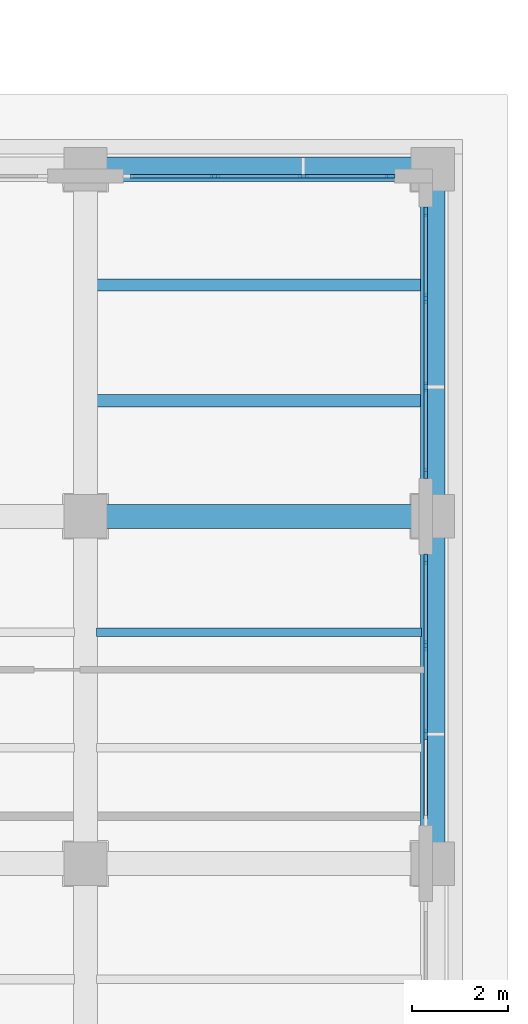
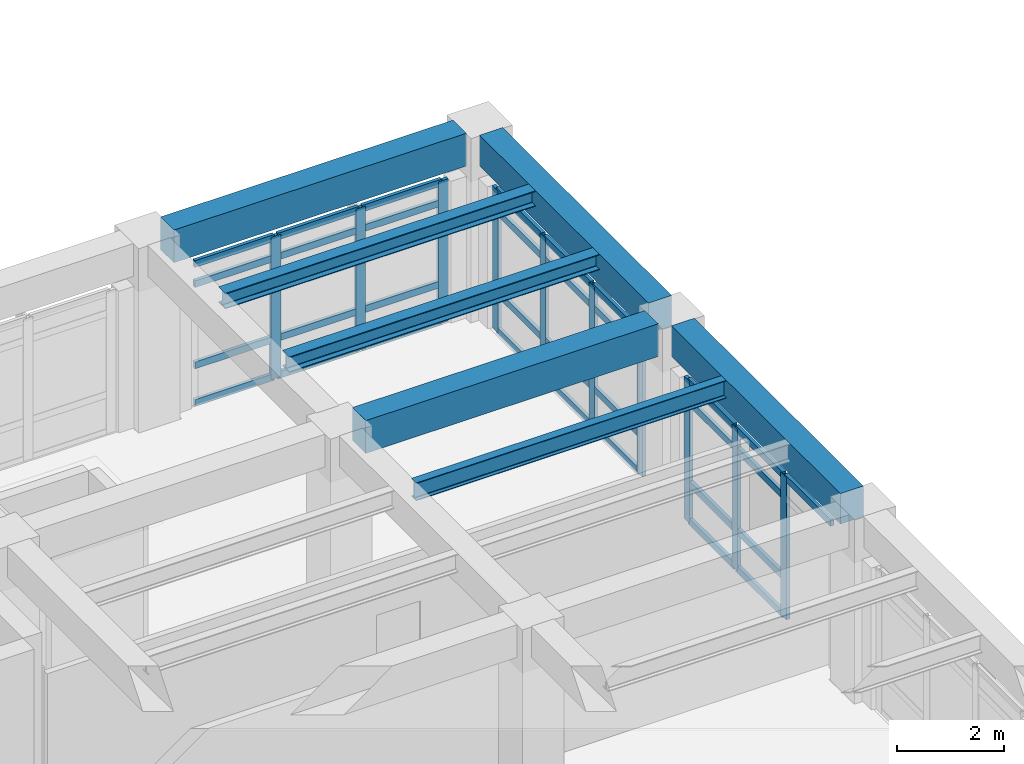
# One storey, part 30 of 69: 43 members, 7 beams, 3 elements without a shape of their own.
"""IFC4 building model written with IfcOpenShell, lengths in metres."""

import ifcopenshell
import ifcopenshell.guid

model = None  # the IFC model being written
_history = None  # IfcOwnerHistory: only IFC2X3 demands one
_inside = {}  # id of a spatial element -> (the spatial element, [elements in it])
_under = {}  # id of a project, library or spatial element -> (it, [spatial elements below it])
_declared = {}  # id of a project -> (the project, [libraries it declares])
_typed = {}  # id of a type object -> (the type object, [elements of that type])
_made_of = {}  # id of a material, layer set ... -> (it, [elements and type objects made of it])


def new_model(schema):
    """Start an empty IFC model of exactly this schema.

    Asked for "IFC4X3", IfcOpenShell would pick the latest addendum, in which some entities
    have other attributes; the version numbers below select the first issue.
    IFC2X3 requires an IfcOwnerHistory on every rooted entity: one is made here for all.
    """
    global model, _history
    if schema == "IFC4X3":
        model = ifcopenshell.file(schema_version=(4, 3, 0, 0))
    else:
        model = ifcopenshell.file(schema=schema)
    _inside.clear()
    _under.clear()
    _declared.clear()
    _typed.clear()
    _made_of.clear()
    _history = None
    if model.schema == "IFC2X3":
        org = make("IfcOrganization", Name="unknown")
        user = make(
            "IfcPersonAndOrganization",
            ThePerson=make("IfcPerson", FamilyName="unknown"),
            TheOrganization=org,
        )
        app = make(
            "IfcApplication",
            ApplicationDeveloper=org,
            Version="unknown",
            ApplicationFullName="unknown",
            ApplicationIdentifier="unknown",
        )
        _history = make(
            "IfcOwnerHistory",
            OwningUser=user,
            OwningApplication=app,
            ChangeAction="ADDED",
            CreationDate=0,
        )
    return model


def make(cls, **values):
    """One entity of the class cls with the attributes given. An attribute that is None is left unset."""
    return model.create_entity(
        cls, **{name: value for name, value in values.items() if value is not None}
    )


def rooted(cls, **values):
    """An entity with a GlobalId (a new one), such as an element, a storey or a relation."""
    return make(cls, GlobalId=ifcopenshell.guid.new(), OwnerHistory=_history, **values)


def si_unit(unit_type, name, prefix=None):
    """IfcSIUnit, for example si_unit("LENGTHUNIT", "METRE", prefix="MILLI")."""
    return make("IfcSIUnit", UnitType=unit_type, Prefix=prefix, Name=name)


def assignment(units):
    """IfcUnitAssignment: the units of a project."""
    return None if units is None else make("IfcUnitAssignment", Units=units)


def point(xyz):
    """IfcCartesianPoint."""
    return None if xyz is None else make("IfcCartesianPoint", Coordinates=xyz)


def direction(xyz):
    """IfcDirection."""
    return None if xyz is None else make("IfcDirection", DirectionRatios=xyz)


def frame(location, z_axis=None, x_axis=None):
    """IfcAxis2Placement3D, a coordinate frame: its origin and axes. An axis left out is left unset."""
    return make(
        "IfcAxis2Placement3D",
        Location=point(location),
        Axis=direction(z_axis),
        RefDirection=direction(x_axis),
    )


def frame_2d(location, x_axis=None):
    """IfcAxis2Placement2D, a coordinate frame in the plane: its origin and x axis."""
    return make(
        "IfcAxis2Placement2D", Location=point(location), RefDirection=direction(x_axis)
    )


def origin():
    """The frame at (0, 0, 0) with its axes left unset."""
    return frame((0.0, 0.0, 0.0))


def origin_2d():
    """The frame at (0, 0) in the plane with its x axis left unset."""
    return frame_2d((0.0, 0.0))


def place(relative_to, where):
    """IfcLocalPlacement: puts the frame where relative to a parent placement (None: the world)."""
    return make(
        "IfcLocalPlacement", PlacementRelTo=relative_to, RelativePlacement=where
    )


def context(
    kind, dimensions, precision=None, world=None, true_north=None, identifier=None
):
    """IfcGeometricRepresentationContext, for example the 3D "Model" context."""
    return make(
        "IfcGeometricRepresentationContext",
        ContextIdentifier=identifier,
        ContextType=kind,
        CoordinateSpaceDimension=dimensions,
        Precision=precision,
        WorldCoordinateSystem=world,
        TrueNorth=true_north,
    )


def subcontext(parent, identifier, kind, view, scale=None):
    """IfcGeometricRepresentationSubContext, for example "Body" below "Model"."""
    return make(
        "IfcGeometricRepresentationSubContext",
        ContextIdentifier=identifier,
        ContextType=kind,
        ParentContext=parent,
        TargetScale=scale,
        TargetView=view,
    )


def project(units=None, contexts=None):
    """IfcProject with its units and contexts."""
    return rooted(
        "IfcProject",
        Name="project",
        RepresentationContexts=contexts,
        UnitsInContext=assignment(units),
    )


def spatial(cls, under=None, at=None, **own):
    """A site, building, storey or space (cls), placed at a placement, below another one or the project."""
    s = rooted(cls, ObjectPlacement=at, **own)
    if under is not None:
        _under.setdefault(under.id(), (under, []))[1].append(s)
    return s


def profile(cls, at=None, kind="AREA", **sizes):
    """A parametric profile (cls). Its sizes go by their IFC names, for example OverallWidth=200.0."""
    return make(cls, ProfileType=kind, Position=at, **sizes)


def rectangle(**sizes):
    """IfcRectangleProfileDef."""
    return profile("IfcRectangleProfileDef", **sizes)


def i_section(**sizes):
    """IfcIShapeProfileDef."""
    return profile("IfcIShapeProfileDef", **sizes)


def extrude(swept, where, along, depth):
    """IfcExtrudedAreaSolid: the profile swept, set in the frame where, extruded along a direction by depth."""
    return make(
        "IfcExtrudedAreaSolid",
        SweptArea=swept,
        Position=where,
        ExtrudedDirection=direction(along),
        Depth=depth,
    )


def shape(context_of_items, identifier, shape_type, items):
    """IfcShapeRepresentation: the items that make up one representation, for example the "Body"."""
    return make(
        "IfcShapeRepresentation",
        ContextOfItems=context_of_items,
        RepresentationIdentifier=identifier,
        RepresentationType=shape_type,
        Items=items,
    )


def material(Name=None, Category=None):
    """IfcMaterial."""
    return make("IfcMaterial", Name=Name, Category=Category)


def layer(
    of_material, thickness, ventilated=None, Name=None, Category=None, Priority=None
):
    """IfcMaterialLayer: one layer of a wall or slab, of a material (None: an air gap)."""
    return make(
        "IfcMaterialLayer",
        Material=of_material,
        LayerThickness=thickness,
        IsVentilated=ventilated,
        Name=Name,
        Category=Category,
        Priority=Priority,
    )


def layer_set(layers, Name=None):
    """IfcMaterialLayerSet."""
    return make("IfcMaterialLayerSet", MaterialLayers=layers, LayerSetName=Name)


def material_profile(
    of_material, cross_section, Name=None, Category=None, Priority=None
):
    """IfcMaterialProfile: a cross section and its material."""
    return make(
        "IfcMaterialProfile",
        Name=Name,
        Material=of_material,
        Profile=cross_section,
        Priority=Priority,
        Category=Category,
    )


def profile_set(profiles, Name=None, composite=None):
    """IfcMaterialProfileSet."""
    return make(
        "IfcMaterialProfileSet",
        Name=Name,
        MaterialProfiles=profiles,
        CompositeProfile=composite,
    )


def made_of(thing, what):
    """Note that an element or type object is made of a material, layer set ...; save() writes the relation."""
    if what is not None:
        _made_of.setdefault(what.id(), (what, []))[1].append(thing)
    return thing


def type_object(cls, material=None, **own):
    """A type object (cls), such as IfcWallType, which elements share."""
    return made_of(rooted(cls, **own), material)


def element(
    cls,
    number,
    at=None,
    inside=None,
    cuts=None,
    type_object=None,
    material=None,
    context=None,
    identifier="Body",
    shape_type=None,
    held_by="IfcProductDefinitionShape",
    body=None,
    shapes=None,
    **own,
):
    """One element of the class cls, such as IfcWall. Its Tag is "e" and its number.

    at: its placement. inside: the storey or other place that contains it. cuts: it is an
    opening in that element (IfcRelVoidsElement). A single representation is given by context,
    identifier, shape_type and body (its items); several are given by shapes. held_by: the class
    of the entity that holds the representations. save() writes the other relations.
    """
    e = rooted(cls, Tag="e%d" % number, ObjectPlacement=at, **own)
    if body is not None:
        shapes = [shape(context, identifier, shape_type, body)]
    if shapes is not None:
        e.Representation = make(held_by, Representations=shapes)
    if inside is not None:
        _inside.setdefault(inside.id(), (inside, []))[1].append(e)
    if cuts is not None:
        rooted(
            "IfcRelVoidsElement", RelatingBuildingElement=cuts, RelatedOpeningElement=e
        )
    if type_object is not None:
        _typed.setdefault(type_object.id(), (type_object, []))[1].append(e)
    return made_of(e, material)


def aggregate(whole, parts):
    """IfcRelAggregates: a whole, such as a stair, and the parts it consists of."""
    return rooted("IfcRelAggregates", RelatingObject=whole, RelatedObjects=parts)


def save(model, path):
    """Write the relations noted so far, then the file.

    IfcRelAggregates (storeys below a building ...), IfcRelContainedInSpatialStructure (elements
    in a storey), IfcRelDefinesByType, IfcRelAssociatesMaterial and IfcRelDeclares: one each for
    every whole, place, type object, material and project.
    """
    for whole, parts in _under.values():
        aggregate(whole, parts)
    for where, things in _inside.values():
        rooted(
            "IfcRelContainedInSpatialStructure",
            RelatedElements=things,
            RelatingStructure=where,
        )
    for kind, things in _typed.values():
        rooted("IfcRelDefinesByType", RelatedObjects=things, RelatingType=kind)
    for what, things in _made_of.values():
        rooted("IfcRelAssociatesMaterial", RelatedObjects=things, RelatingMaterial=what)
    for by, libraries in _declared.values():
        rooted("IfcRelDeclares", RelatingContext=by, RelatedDefinitions=libraries)
    model.write(path)


model = new_model("IFC4")

# Units and contexts
model_context = context("Model", 3, precision=1e-05, world=origin(), true_north=direction((0.0, 1.0)))
body_context = subcontext(model_context, "Body", "Model", "MODEL_VIEW")
ifc_project = project(units=[si_unit("LENGTHUNIT", "METRE"), si_unit("AREAUNIT", "SQUARE_METRE"), si_unit("VOLUMEUNIT", "CUBIC_METRE"), si_unit("PLANEANGLEUNIT", "RADIAN"), si_unit("MASSUNIT", "GRAM", prefix="KILO")], contexts=[model_context])

# Site, building, storey
site_placement = place(None, origin())
site = spatial("IfcSite", under=ifc_project, at=site_placement, CompositionType="ELEMENT")
building_placement = place(site_placement, origin())
building = spatial("IfcBuilding", under=site, at=building_placement, Name="Solenvale Faculty of Natural Sciences", CompositionType="ELEMENT")
storey_placement = place(building_placement, frame((0.0, 0.0, 4.5)))
storey = spatial("IfcBuildingStorey", under=building, at=storey_placement, Name="L01", CompositionType="ELEMENT", Elevation=4.5)

# Beams
ifc_material_1 = material(Name="Concrete 40 MPa", Category="concrete")
ifc_material_profile_1 = material_profile(ifc_material_1, rectangle(XDim=0.5, YDim=0.699951171875, at=origin_2d()), Name="RC-BM-500x700")
ifc_profile_set_1 = profile_set([ifc_material_profile_1], Name="Concrete 40 MPa")
beam_type_1 = type_object("IfcBeamType", Name="BM-RC-500x700", PredefinedType="BEAM", material=ifc_profile_set_1)
beam_1_placement = place(storey_placement, frame((165.60009765625, 43.6298828125, 3.8701171875), z_axis=(0.0, 1.0, 0.0), x_axis=(-1.0, 0.0, 0.0)))
element("IfcBeam", 1, at=beam_1_placement, inside=storey, type_object=beam_type_1, Name="L01 Y-Girder X165.6 (43.2..50.4)", PredefinedType="BEAM", context=body_context, shape_type="SweptSolid", body=[
    extrude(rectangle(XDim=0.5, YDim=0.699951171875, at=origin_2d()), origin(), (0.0, 0.0, 1.0), 6.340087890625),
])
beam_2_placement = place(storey_placement, frame((165.60009765625, 50.830078125, 3.8701171875), z_axis=(0.0, 1.0, 0.0), x_axis=(-1.0, 0.0, 0.0)))
element("IfcBeam", 2, at=beam_2_placement, inside=storey, type_object=beam_type_1, Name="L01 Y-Girder X165.6 (50.4..57.6)", PredefinedType="BEAM", context=body_context, shape_type="SweptSolid", body=[
    extrude(rectangle(XDim=0.5, YDim=0.699951171875, at=origin_2d()), origin(), (0.0, 0.0, 1.0), 6.33984375),
])
ifc_material_profile_2 = material_profile(ifc_material_1, rectangle(XDim=0.5, YDim=0.75, at=origin_2d()), Name="RC-BM-500x750")
ifc_profile_set_2 = profile_set([ifc_material_profile_2], Name="Concrete 40 MPa")
beam_type_2 = type_object("IfcBeamType", Name="BM-RC-500x750", PredefinedType="BEAM", material=ifc_profile_set_2)
for number, where, z_axis, x_axis, name in (
    (3, (158.830078125, 50.39990234375, 3.844970703125), (1.0, 0.0, 0.0), (0.0, 1.0, 0.0), "L01 X-Girder Y50.4 (158.4..165.6)"),
    (4, (158.830078125, 57.60009765625, 3.844970703125), (1.0, 0.0, 0.0), (0.0, 1.0, 0.0), "L01 X-Girder Y57.6 (158.4..165.6)"),
):
    element("IfcBeam", number, at=place(storey_placement, frame(where, z_axis=z_axis, x_axis=x_axis)), inside=storey, type_object=beam_type_2, Name=name, PredefinedType="BEAM", context=body_context, shape_type="SweptSolid", body=[
        extrude(rectangle(XDim=0.5, YDim=0.75, at=origin_2d()), origin(), (0.0, 0.0, 1.0), 6.33984375),
    ])
ifc_material_2 = material(Name="Steel S355", Category="steel")
ifc_material_profile_3 = material_profile(ifc_material_2, i_section(OverallWidth=0.2548828125, OverallDepth=0.35693359375, WebThickness=0.010498046875, FlangeThickness=0.018310546875, FilletRadius=0.014892578125, at=origin_2d()), Name="W360x101")
ifc_profile_set_3 = profile_set([ifc_material_profile_3], Name="Steel S355")
beam_type_3 = type_object("IfcBeamType", Name="BM-STL-W360x101", PredefinedType="JOIST", material=ifc_profile_set_3)
for number, where, z_axis, x_axis, name in (
    (5, (158.6298828125, 52.800048828125, 4.04150390625), (1.0, 0.0, 0.0), (0.0, 1.0, 0.0), "L01 Composite Floor Joist (23,8).1"),
    (6, (158.6298828125, 55.199951171875, 4.04150390625), (1.0, 0.0, 0.0), (0.0, 1.0, 0.0), "L01 Composite Floor Joist (23,8).2"),
):
    element("IfcBeam", number, at=place(storey_placement, frame(where, z_axis=z_axis, x_axis=x_axis)), inside=storey, type_object=beam_type_3, Name=name, PredefinedType="JOIST", context=body_context, shape_type="SweptSolid", body=[
        extrude(i_section(OverallWidth=0.2548828125, OverallDepth=0.35693359375, WebThickness=0.010498046875, FlangeThickness=0.018310546875, FilletRadius=0.014892578125, at=origin_2d()), origin(), (0.0, 0.0, 1.0), 6.740234375),
    ])
ifc_material_profile_4 = material_profile(ifc_material_2, i_section(OverallWidth=0.178955078125, OverallDepth=0.409912109375, WebThickness=0.0087890625, FlangeThickness=0.014404296875, FilletRadius=0.01611328125, at=origin_2d()), Name="W410x67")
ifc_profile_set_4 = profile_set([ifc_material_profile_4], Name="Steel S355")
beam_type_4 = type_object("IfcBeamType", Name="BM-STL-W410x67", PredefinedType="JOIST", material=ifc_profile_set_4)
beam_3_placement = place(storey_placement, frame((158.6298828125, 48.0, 4.014892578125), z_axis=(1.0, 0.0, 0.0), x_axis=(0.0, 1.0, 0.0)))
element("IfcBeam", 7, at=beam_3_placement, inside=storey, type_object=beam_type_4, Name="L01 Composite Floor Joist (23,7).2", PredefinedType="JOIST", context=body_context, shape_type="SweptSolid", body=[
    extrude(i_section(OverallWidth=0.178955078125, OverallDepth=0.409912109375, WebThickness=0.0087890625, FlangeThickness=0.014404296875, FilletRadius=0.01611328125, at=origin_2d()), origin(), (0.0, 0.0, 1.0), 6.740234375),
])

# Curtain wall, members
ifc_material_3 = material(Name="Anodised bronze aluminium", Category="aluminium")
ifc_layer = layer(ifc_material_3, 0.199951171875)
ifc_layer_set = layer_set([ifc_layer], Name="Anodised bronze aluminium")
curtain_wall_type = type_object("IfcCurtainWallType", Name="CW-COM-FIN", PredefinedType="USERDEFINED", material=ifc_layer_set)
curtain_wall_1_placement = place(storey_placement, origin())
curtain_wall_1 = element("IfcCurtainWall", 8, at=curtain_wall_1_placement, inside=storey, type_object=curtain_wall_type, Name="L01 Curtain Wall CW-L01-P1-E8-B3", ObjectType="UNITISED CURTAIN WALL", PredefinedType="USERDEFINED")
ifc_material_profile_5 = material_profile(ifc_material_3, rectangle(XDim=0.074951171875, YDim=0.2099609375, at=origin_2d()), Name="ALU-MUL-75x210")
ifc_profile_set_5 = profile_set([ifc_material_profile_5], Name="Anodised bronze aluminium")
member_type_1 = type_object("IfcMemberType", Name="CWM-ALU-75x210", PredefinedType="MULLION", material=ifc_profile_set_5)
member_1_placement = place(storey_placement, frame((165.45751953125, 45.88330078125, 0.0), z_axis=(0.0, 0.0, 1.0), x_axis=(-1.0, 0.0, 0.0)))
member_1 = element("IfcMember", 9, at=member_1_placement, type_object=member_type_1, Name="CW-03 mullion 2", PredefinedType="MULLION", context=body_context, shape_type="SweptSolid", body=[
    extrude(rectangle(XDim=0.074951171875, YDim=0.2099609375, at=origin_2d()), origin(), (0.0, 0.0, 1.0), 3.260009765625),
])
member_2_placement = place(storey_placement, frame((165.45751953125, 47.716552734375, 0.0), z_axis=(0.0, 0.0, 1.0), x_axis=(-1.0, 0.0, 0.0)))
member_2 = element("IfcMember", 10, at=member_2_placement, type_object=member_type_1, Name="CW-03 mullion 3", PredefinedType="MULLION", context=body_context, shape_type="SweptSolid", body=[
    extrude(rectangle(XDim=0.074951171875, YDim=0.2099609375, at=origin_2d()), origin(), (0.0, 0.0, 1.0), 3.260009765625),
])
member_3_placement = place(storey_placement, frame((165.45751953125, 49.512451171875, 0.0), z_axis=(0.0, 0.0, 1.0), x_axis=(-1.0, 0.0, 0.0)))
member_3 = element("IfcMember", 11, at=member_3_placement, type_object=member_type_1, Name="CW-03 mullion 4", PredefinedType="MULLION", context=body_context, shape_type="SweptSolid", body=[
    extrude(rectangle(XDim=0.074951171875, YDim=0.2099609375, at=origin_2d()), origin(), (0.0, 0.0, 1.0), 3.260009765625),
])

curtain_wall_2_placement = place(storey_placement, origin())
curtain_wall_2 = element("IfcCurtainWall", 12, at=curtain_wall_2_placement, inside=storey, type_object=curtain_wall_type, Name="L01 Curtain Wall CW-L01-P1-E8-B4", ObjectType="UNITISED CURTAIN WALL", PredefinedType="USERDEFINED")
member_4_placement = place(storey_placement, frame((165.45751953125, 51.28759765625, 0.0), z_axis=(0.0, 0.0, 1.0), x_axis=(-1.0, 0.0, 0.0)))
member_4 = element("IfcMember", 13, at=member_4_placement, type_object=member_type_1, Name="CW-03 mullion 1", PredefinedType="MULLION", context=body_context, shape_type="SweptSolid", body=[
    extrude(rectangle(XDim=0.074951171875, YDim=0.2099609375, at=origin_2d()), origin(), (0.0, 0.0, 1.0), 3.260009765625),
])
member_5_placement = place(storey_placement, frame((165.45751953125, 53.083251953125, 0.0), z_axis=(0.0, 0.0, 1.0), x_axis=(-1.0, 0.0, 0.0)))
member_5 = element("IfcMember", 14, at=member_5_placement, type_object=member_type_1, Name="CW-03 mullion 2", PredefinedType="MULLION", context=body_context, shape_type="SweptSolid", body=[
    extrude(rectangle(XDim=0.074951171875, YDim=0.2099609375, at=origin_2d()), origin(), (0.0, 0.0, 1.0), 3.260009765625),
])
member_6_placement = place(storey_placement, frame((165.45751953125, 54.916748046875, 0.0), z_axis=(0.0, 0.0, 1.0), x_axis=(-1.0, 0.0, 0.0)))
member_6 = element("IfcMember", 15, at=member_6_placement, type_object=member_type_1, Name="CW-03 mullion 3", PredefinedType="MULLION", context=body_context, shape_type="SweptSolid", body=[
    extrude(rectangle(XDim=0.074951171875, YDim=0.2099609375, at=origin_2d()), origin(), (0.0, 0.0, 1.0), 3.260009765625),
])
member_7_placement = place(storey_placement, frame((165.45751953125, 56.71240234375, 0.0), z_axis=(0.0, 0.0, 1.0), x_axis=(-1.0, 0.0, 0.0)))
member_7 = element("IfcMember", 16, at=member_7_placement, type_object=member_type_1, Name="CW-03 mullion 4", PredefinedType="MULLION", context=body_context, shape_type="SweptSolid", body=[
    extrude(rectangle(XDim=0.074951171875, YDim=0.2099609375, at=origin_2d()), origin(), (0.0, 0.0, 1.0), 3.260009765625),
])

curtain_wall_3_placement = place(storey_placement, origin())
curtain_wall_3 = element("IfcCurtainWall", 17, at=curtain_wall_3_placement, inside=storey, type_object=curtain_wall_type, Name="L01 Curtain Wall CW-L01-P1-E9-B1", ObjectType="UNITISED CURTAIN WALL", PredefinedType="USERDEFINED")
member_8_placement = place(storey_placement, frame((164.71240234375, 57.45751953125, 0.0), z_axis=(0.0, 0.0, 1.0), x_axis=(0.0, -1.0, 0.0)))
member_8 = element("IfcMember", 18, at=member_8_placement, type_object=member_type_1, Name="CW-03 mullion 1", PredefinedType="MULLION", context=body_context, shape_type="SweptSolid", body=[
    extrude(rectangle(XDim=0.074951171875, YDim=0.2099609375, at=origin_2d()), origin(), (0.0, 0.0, 1.0), 3.260009765625),
])
member_9_placement = place(storey_placement, frame((162.916748046875, 57.45751953125, 0.0), z_axis=(0.0, 0.0, 1.0), x_axis=(0.0, -1.0, 0.0)))
member_9 = element("IfcMember", 19, at=member_9_placement, type_object=member_type_1, Name="CW-03 mullion 2", PredefinedType="MULLION", context=body_context, shape_type="SweptSolid", body=[
    extrude(rectangle(XDim=0.074951171875, YDim=0.2099609375, at=origin_2d()), origin(), (0.0, 0.0, 1.0), 3.260009765625),
])
member_10_placement = place(storey_placement, frame((161.083251953125, 57.45751953125, 0.0), z_axis=(0.0, 0.0, 1.0), x_axis=(0.0, -1.0, 0.0)))
member_10 = element("IfcMember", 20, at=member_10_placement, type_object=member_type_1, Name="CW-03 mullion 3", PredefinedType="MULLION", context=body_context, shape_type="SweptSolid", body=[
    extrude(rectangle(XDim=0.074951171875, YDim=0.2099609375, at=origin_2d()), origin(), (0.0, 0.0, 1.0), 3.260009765625),
])

# Member
ifc_material_profile_6 = material_profile(ifc_material_3, rectangle(XDim=0.074951171875, YDim=0.155029296875, at=origin_2d()), Name="ALU-TRN-75x155")
ifc_profile_set_6 = profile_set([ifc_material_profile_6], Name="Anodised bronze aluminium")
member_type_2 = type_object("IfcMemberType", Name="CWT-ALU-75x155", PredefinedType="USERDEFINED", material=ifc_profile_set_6)
member_11_placement = place(storey_placement, frame((165.45751953125, 44.125, 3.222412109375), z_axis=(0.0, 1.0, 0.0), x_axis=(-1.0, 0.0, 0.0)))
member_11 = element("IfcMember", 21, at=member_11_placement, type_object=member_type_2, Name="CW-03 transom 1.4", ObjectType="TRANSOM", PredefinedType="USERDEFINED", context=body_context, shape_type="SweptSolid", body=[
    extrude(rectangle(XDim=0.074951171875, YDim=0.155029296875, at=origin_2d()), origin(), (0.0, 0.0, 1.0), 1.720947265625),
])

member_12_placement = place(storey_placement, frame((165.45751953125, 45.9208984375, 0.03759765625), z_axis=(0.0, 1.0, 0.0), x_axis=(-1.0, 0.0, 0.0)))
member_12 = element("IfcMember", 22, at=member_12_placement, type_object=member_type_2, Name="CW-03 transom 2.1", ObjectType="TRANSOM", PredefinedType="USERDEFINED", context=body_context, shape_type="SweptSolid", body=[
    extrude(rectangle(XDim=0.074951171875, YDim=0.155029296875, at=origin_2d()), origin(), (0.0, 0.0, 1.0), 1.75830078125),
])

member_13_placement = place(storey_placement, frame((165.45751953125, 45.9208984375, 0.89990234375), z_axis=(0.0, 1.0, 0.0), x_axis=(-1.0, 0.0, 0.0)))
member_13 = element("IfcMember", 23, at=member_13_placement, type_object=member_type_2, Name="CW-03 transom 2.2", ObjectType="TRANSOM", PredefinedType="USERDEFINED", context=body_context, shape_type="SweptSolid", body=[
    extrude(rectangle(XDim=0.074951171875, YDim=0.155029296875, at=origin_2d()), origin(), (0.0, 0.0, 1.0), 1.75830078125),
])

member_14_placement = place(storey_placement, frame((165.45751953125, 45.9208984375, 2.760009765625), z_axis=(0.0, 1.0, 0.0), x_axis=(-1.0, 0.0, 0.0)))
member_14 = element("IfcMember", 24, at=member_14_placement, type_object=member_type_2, Name="CW-03 transom 2.3", ObjectType="TRANSOM", PredefinedType="USERDEFINED", context=body_context, shape_type="SweptSolid", body=[
    extrude(rectangle(XDim=0.074951171875, YDim=0.155029296875, at=origin_2d()), origin(), (0.0, 0.0, 1.0), 1.75830078125),
])

member_15_placement = place(storey_placement, frame((165.45751953125, 45.9208984375, 3.222412109375), z_axis=(0.0, 1.0, 0.0), x_axis=(-1.0, 0.0, 0.0)))
member_15 = element("IfcMember", 25, at=member_15_placement, type_object=member_type_2, Name="CW-03 transom 2.4", ObjectType="TRANSOM", PredefinedType="USERDEFINED", context=body_context, shape_type="SweptSolid", body=[
    extrude(rectangle(XDim=0.074951171875, YDim=0.155029296875, at=origin_2d()), origin(), (0.0, 0.0, 1.0), 1.75830078125),
])

member_16_placement = place(storey_placement, frame((165.45751953125, 47.754150390625, 0.03759765625), z_axis=(0.0, 1.0, 0.0), x_axis=(-1.0, 0.0, 0.0)))
member_16 = element("IfcMember", 26, at=member_16_placement, type_object=member_type_2, Name="CW-03 transom 3.1", ObjectType="TRANSOM", PredefinedType="USERDEFINED", context=body_context, shape_type="SweptSolid", body=[
    extrude(rectangle(XDim=0.074951171875, YDim=0.155029296875, at=origin_2d()), origin(), (0.0, 0.0, 1.0), 1.720947265625),
])

member_17_placement = place(storey_placement, frame((165.45751953125, 47.754150390625, 0.89990234375), z_axis=(0.0, 1.0, 0.0), x_axis=(-1.0, 0.0, 0.0)))
member_17 = element("IfcMember", 27, at=member_17_placement, type_object=member_type_2, Name="CW-03 transom 3.2", ObjectType="TRANSOM", PredefinedType="USERDEFINED", context=body_context, shape_type="SweptSolid", body=[
    extrude(rectangle(XDim=0.074951171875, YDim=0.155029296875, at=origin_2d()), origin(), (0.0, 0.0, 1.0), 1.720947265625),
])

member_18_placement = place(storey_placement, frame((165.45751953125, 47.754150390625, 2.760009765625), z_axis=(0.0, 1.0, 0.0), x_axis=(-1.0, 0.0, 0.0)))
member_18 = element("IfcMember", 28, at=member_18_placement, type_object=member_type_2, Name="CW-03 transom 3.3", ObjectType="TRANSOM", PredefinedType="USERDEFINED", context=body_context, shape_type="SweptSolid", body=[
    extrude(rectangle(XDim=0.074951171875, YDim=0.155029296875, at=origin_2d()), origin(), (0.0, 0.0, 1.0), 1.720947265625),
])

member_19_placement = place(storey_placement, frame((165.45751953125, 47.754150390625, 3.222412109375), z_axis=(0.0, 1.0, 0.0), x_axis=(-1.0, 0.0, 0.0)))
member_19 = element("IfcMember", 29, at=member_19_placement, type_object=member_type_2, Name="CW-03 transom 3.4", ObjectType="TRANSOM", PredefinedType="USERDEFINED", context=body_context, shape_type="SweptSolid", body=[
    extrude(rectangle(XDim=0.074951171875, YDim=0.155029296875, at=origin_2d()), origin(), (0.0, 0.0, 1.0), 1.720947265625),
])

aggregate(curtain_wall_1, [member_1, member_2, member_3, member_11, member_12, member_13, member_14, member_15, member_16, member_17, member_18, member_19])

member_20_placement = place(storey_placement, frame((165.45751953125, 51.324951171875, 0.03759765625), z_axis=(0.0, 1.0, 0.0), x_axis=(-1.0, 0.0, 0.0)))
member_20 = element("IfcMember", 30, at=member_20_placement, type_object=member_type_2, Name="CW-03 transom 1.1", ObjectType="TRANSOM", PredefinedType="USERDEFINED", context=body_context, shape_type="SweptSolid", body=[
    extrude(rectangle(XDim=0.074951171875, YDim=0.155029296875, at=origin_2d()), origin(), (0.0, 0.0, 1.0), 1.720947265625),
])

member_21_placement = place(storey_placement, frame((165.45751953125, 51.324951171875, 0.89990234375), z_axis=(0.0, 1.0, 0.0), x_axis=(-1.0, 0.0, 0.0)))
member_21 = element("IfcMember", 31, at=member_21_placement, type_object=member_type_2, Name="CW-03 transom 1.2", ObjectType="TRANSOM", PredefinedType="USERDEFINED", context=body_context, shape_type="SweptSolid", body=[
    extrude(rectangle(XDim=0.074951171875, YDim=0.155029296875, at=origin_2d()), origin(), (0.0, 0.0, 1.0), 1.720947265625),
])

member_22_placement = place(storey_placement, frame((165.45751953125, 51.324951171875, 2.760009765625), z_axis=(0.0, 1.0, 0.0), x_axis=(-1.0, 0.0, 0.0)))
member_22 = element("IfcMember", 32, at=member_22_placement, type_object=member_type_2, Name="CW-03 transom 1.3", ObjectType="TRANSOM", PredefinedType="USERDEFINED", context=body_context, shape_type="SweptSolid", body=[
    extrude(rectangle(XDim=0.074951171875, YDim=0.155029296875, at=origin_2d()), origin(), (0.0, 0.0, 1.0), 1.720947265625),
])

member_23_placement = place(storey_placement, frame((165.45751953125, 51.324951171875, 3.222412109375), z_axis=(0.0, 1.0, 0.0), x_axis=(-1.0, 0.0, 0.0)))
member_23 = element("IfcMember", 33, at=member_23_placement, type_object=member_type_2, Name="CW-03 transom 1.4", ObjectType="TRANSOM", PredefinedType="USERDEFINED", context=body_context, shape_type="SweptSolid", body=[
    extrude(rectangle(XDim=0.074951171875, YDim=0.155029296875, at=origin_2d()), origin(), (0.0, 0.0, 1.0), 1.720947265625),
])

member_24_placement = place(storey_placement, frame((165.45751953125, 53.120849609375, 0.03759765625), z_axis=(0.0, 1.0, 0.0), x_axis=(-1.0, 0.0, 0.0)))
member_24 = element("IfcMember", 34, at=member_24_placement, type_object=member_type_2, Name="CW-03 transom 2.1", ObjectType="TRANSOM", PredefinedType="USERDEFINED", context=body_context, shape_type="SweptSolid", body=[
    extrude(rectangle(XDim=0.074951171875, YDim=0.155029296875, at=origin_2d()), origin(), (0.0, 0.0, 1.0), 1.75830078125),
])

member_25_placement = place(storey_placement, frame((165.45751953125, 53.120849609375, 0.89990234375), z_axis=(0.0, 1.0, 0.0), x_axis=(-1.0, 0.0, 0.0)))
member_25 = element("IfcMember", 35, at=member_25_placement, type_object=member_type_2, Name="CW-03 transom 2.2", ObjectType="TRANSOM", PredefinedType="USERDEFINED", context=body_context, shape_type="SweptSolid", body=[
    extrude(rectangle(XDim=0.074951171875, YDim=0.155029296875, at=origin_2d()), origin(), (0.0, 0.0, 1.0), 1.75830078125),
])

member_26_placement = place(storey_placement, frame((165.45751953125, 53.120849609375, 2.760009765625), z_axis=(0.0, 1.0, 0.0), x_axis=(-1.0, 0.0, 0.0)))
member_26 = element("IfcMember", 36, at=member_26_placement, type_object=member_type_2, Name="CW-03 transom 2.3", ObjectType="TRANSOM", PredefinedType="USERDEFINED", context=body_context, shape_type="SweptSolid", body=[
    extrude(rectangle(XDim=0.074951171875, YDim=0.155029296875, at=origin_2d()), origin(), (0.0, 0.0, 1.0), 1.75830078125),
])

member_27_placement = place(storey_placement, frame((165.45751953125, 53.120849609375, 3.222412109375), z_axis=(0.0, 1.0, 0.0), x_axis=(-1.0, 0.0, 0.0)))
member_27 = element("IfcMember", 37, at=member_27_placement, type_object=member_type_2, Name="CW-03 transom 2.4", ObjectType="TRANSOM", PredefinedType="USERDEFINED", context=body_context, shape_type="SweptSolid", body=[
    extrude(rectangle(XDim=0.074951171875, YDim=0.155029296875, at=origin_2d()), origin(), (0.0, 0.0, 1.0), 1.75830078125),
])

member_28_placement = place(storey_placement, frame((165.45751953125, 54.9541015625, 0.03759765625), z_axis=(0.0, 1.0, 0.0), x_axis=(-1.0, 0.0, 0.0)))
member_28 = element("IfcMember", 38, at=member_28_placement, type_object=member_type_2, Name="CW-03 transom 3.1", ObjectType="TRANSOM", PredefinedType="USERDEFINED", context=body_context, shape_type="SweptSolid", body=[
    extrude(rectangle(XDim=0.074951171875, YDim=0.155029296875, at=origin_2d()), origin(), (0.0, 0.0, 1.0), 1.720947265625),
])

member_29_placement = place(storey_placement, frame((165.45751953125, 54.9541015625, 0.89990234375), z_axis=(0.0, 1.0, 0.0), x_axis=(-1.0, 0.0, 0.0)))
member_29 = element("IfcMember", 39, at=member_29_placement, type_object=member_type_2, Name="CW-03 transom 3.2", ObjectType="TRANSOM", PredefinedType="USERDEFINED", context=body_context, shape_type="SweptSolid", body=[
    extrude(rectangle(XDim=0.074951171875, YDim=0.155029296875, at=origin_2d()), origin(), (0.0, 0.0, 1.0), 1.720947265625),
])

member_30_placement = place(storey_placement, frame((165.45751953125, 54.9541015625, 2.760009765625), z_axis=(0.0, 1.0, 0.0), x_axis=(-1.0, 0.0, 0.0)))
member_30 = element("IfcMember", 40, at=member_30_placement, type_object=member_type_2, Name="CW-03 transom 3.3", ObjectType="TRANSOM", PredefinedType="USERDEFINED", context=body_context, shape_type="SweptSolid", body=[
    extrude(rectangle(XDim=0.074951171875, YDim=0.155029296875, at=origin_2d()), origin(), (0.0, 0.0, 1.0), 1.720947265625),
])

member_31_placement = place(storey_placement, frame((165.45751953125, 54.9541015625, 3.222412109375), z_axis=(0.0, 1.0, 0.0), x_axis=(-1.0, 0.0, 0.0)))
member_31 = element("IfcMember", 41, at=member_31_placement, type_object=member_type_2, Name="CW-03 transom 3.4", ObjectType="TRANSOM", PredefinedType="USERDEFINED", context=body_context, shape_type="SweptSolid", body=[
    extrude(rectangle(XDim=0.074951171875, YDim=0.155029296875, at=origin_2d()), origin(), (0.0, 0.0, 1.0), 1.720947265625),
])

aggregate(curtain_wall_2, [member_4, member_5, member_6, member_7, member_20, member_21, member_22, member_23, member_24, member_25, member_26, member_27, member_28, member_29, member_30, member_31])

member_32_placement = place(storey_placement, frame((164.675048828125, 57.45751953125, 0.03759765625), z_axis=(-1.0, 0.0, 0.0), x_axis=(0.0, -1.0, 0.0)))
member_32 = element("IfcMember", 42, at=member_32_placement, type_object=member_type_2, Name="CW-03 transom 1.1", ObjectType="TRANSOM", PredefinedType="USERDEFINED", context=body_context, shape_type="SweptSolid", body=[
    extrude(rectangle(XDim=0.074951171875, YDim=0.155029296875, at=origin_2d()), origin(), (0.0, 0.0, 1.0), 1.720947265625),
])

member_33_placement = place(storey_placement, frame((164.675048828125, 57.45751953125, 0.89990234375), z_axis=(-1.0, 0.0, 0.0), x_axis=(0.0, -1.0, 0.0)))
member_33 = element("IfcMember", 43, at=member_33_placement, type_object=member_type_2, Name="CW-03 transom 1.2", ObjectType="TRANSOM", PredefinedType="USERDEFINED", context=body_context, shape_type="SweptSolid", body=[
    extrude(rectangle(XDim=0.074951171875, YDim=0.155029296875, at=origin_2d()), origin(), (0.0, 0.0, 1.0), 1.720947265625),
])

member_34_placement = place(storey_placement, frame((164.675048828125, 57.45751953125, 2.760009765625), z_axis=(-1.0, 0.0, 0.0), x_axis=(0.0, -1.0, 0.0)))
member_34 = element("IfcMember", 44, at=member_34_placement, type_object=member_type_2, Name="CW-03 transom 1.3", ObjectType="TRANSOM", PredefinedType="USERDEFINED", context=body_context, shape_type="SweptSolid", body=[
    extrude(rectangle(XDim=0.074951171875, YDim=0.155029296875, at=origin_2d()), origin(), (0.0, 0.0, 1.0), 1.720947265625),
])

member_35_placement = place(storey_placement, frame((164.675048828125, 57.45751953125, 3.222412109375), z_axis=(-1.0, 0.0, 0.0), x_axis=(0.0, -1.0, 0.0)))
member_35 = element("IfcMember", 45, at=member_35_placement, type_object=member_type_2, Name="CW-03 transom 1.4", ObjectType="TRANSOM", PredefinedType="USERDEFINED", context=body_context, shape_type="SweptSolid", body=[
    extrude(rectangle(XDim=0.074951171875, YDim=0.155029296875, at=origin_2d()), origin(), (0.0, 0.0, 1.0), 1.720947265625),
])

member_36_placement = place(storey_placement, frame((162.879150390625, 57.45751953125, 0.03759765625), z_axis=(-1.0, 0.0, 0.0), x_axis=(0.0, -1.0, 0.0)))
member_36 = element("IfcMember", 46, at=member_36_placement, type_object=member_type_2, Name="CW-03 transom 2.1", ObjectType="TRANSOM", PredefinedType="USERDEFINED", context=body_context, shape_type="SweptSolid", body=[
    extrude(rectangle(XDim=0.074951171875, YDim=0.155029296875, at=origin_2d()), origin(), (0.0, 0.0, 1.0), 1.75830078125),
])

member_37_placement = place(storey_placement, frame((162.879150390625, 57.45751953125, 0.89990234375), z_axis=(-1.0, 0.0, 0.0), x_axis=(0.0, -1.0, 0.0)))
member_37 = element("IfcMember", 47, at=member_37_placement, type_object=member_type_2, Name="CW-03 transom 2.2", ObjectType="TRANSOM", PredefinedType="USERDEFINED", context=body_context, shape_type="SweptSolid", body=[
    extrude(rectangle(XDim=0.074951171875, YDim=0.155029296875, at=origin_2d()), origin(), (0.0, 0.0, 1.0), 1.75830078125),
])

member_38_placement = place(storey_placement, frame((162.879150390625, 57.45751953125, 2.760009765625), z_axis=(-1.0, 0.0, 0.0), x_axis=(0.0, -1.0, 0.0)))
member_38 = element("IfcMember", 48, at=member_38_placement, type_object=member_type_2, Name="CW-03 transom 2.3", ObjectType="TRANSOM", PredefinedType="USERDEFINED", context=body_context, shape_type="SweptSolid", body=[
    extrude(rectangle(XDim=0.074951171875, YDim=0.155029296875, at=origin_2d()), origin(), (0.0, 0.0, 1.0), 1.75830078125),
])

member_39_placement = place(storey_placement, frame((162.879150390625, 57.45751953125, 3.222412109375), z_axis=(-1.0, 0.0, 0.0), x_axis=(0.0, -1.0, 0.0)))
member_39 = element("IfcMember", 49, at=member_39_placement, type_object=member_type_2, Name="CW-03 transom 2.4", ObjectType="TRANSOM", PredefinedType="USERDEFINED", context=body_context, shape_type="SweptSolid", body=[
    extrude(rectangle(XDim=0.074951171875, YDim=0.155029296875, at=origin_2d()), origin(), (0.0, 0.0, 1.0), 1.75830078125),
])

member_40_placement = place(storey_placement, frame((161.0458984375, 57.45751953125, 0.03759765625), z_axis=(-1.0, 0.0, 0.0), x_axis=(0.0, -1.0, 0.0)))
member_40 = element("IfcMember", 50, at=member_40_placement, type_object=member_type_2, Name="CW-03 transom 3.1", ObjectType="TRANSOM", PredefinedType="USERDEFINED", context=body_context, shape_type="SweptSolid", body=[
    extrude(rectangle(XDim=0.074951171875, YDim=0.155029296875, at=origin_2d()), origin(), (0.0, 0.0, 1.0), 1.720947265625),
])

member_41_placement = place(storey_placement, frame((161.0458984375, 57.45751953125, 0.89990234375), z_axis=(-1.0, 0.0, 0.0), x_axis=(0.0, -1.0, 0.0)))
member_41 = element("IfcMember", 51, at=member_41_placement, type_object=member_type_2, Name="CW-03 transom 3.2", ObjectType="TRANSOM", PredefinedType="USERDEFINED", context=body_context, shape_type="SweptSolid", body=[
    extrude(rectangle(XDim=0.074951171875, YDim=0.155029296875, at=origin_2d()), origin(), (0.0, 0.0, 1.0), 1.720947265625),
])

member_42_placement = place(storey_placement, frame((161.0458984375, 57.45751953125, 2.760009765625), z_axis=(-1.0, 0.0, 0.0), x_axis=(0.0, -1.0, 0.0)))
member_42 = element("IfcMember", 52, at=member_42_placement, type_object=member_type_2, Name="CW-03 transom 3.3", ObjectType="TRANSOM", PredefinedType="USERDEFINED", context=body_context, shape_type="SweptSolid", body=[
    extrude(rectangle(XDim=0.074951171875, YDim=0.155029296875, at=origin_2d()), origin(), (0.0, 0.0, 1.0), 1.720947265625),
])

member_43_placement = place(storey_placement, frame((161.0458984375, 57.45751953125, 3.222412109375), z_axis=(-1.0, 0.0, 0.0), x_axis=(0.0, -1.0, 0.0)))
member_43 = element("IfcMember", 53, at=member_43_placement, type_object=member_type_2, Name="CW-03 transom 3.4", ObjectType="TRANSOM", PredefinedType="USERDEFINED", context=body_context, shape_type="SweptSolid", body=[
    extrude(rectangle(XDim=0.074951171875, YDim=0.155029296875, at=origin_2d()), origin(), (0.0, 0.0, 1.0), 1.720947265625),
])

aggregate(curtain_wall_3, [member_8, member_9, member_10, member_32, member_33, member_34, member_35, member_36, member_37, member_38, member_39, member_40, member_41, member_42, member_43])

save(model, "model.ifc")
